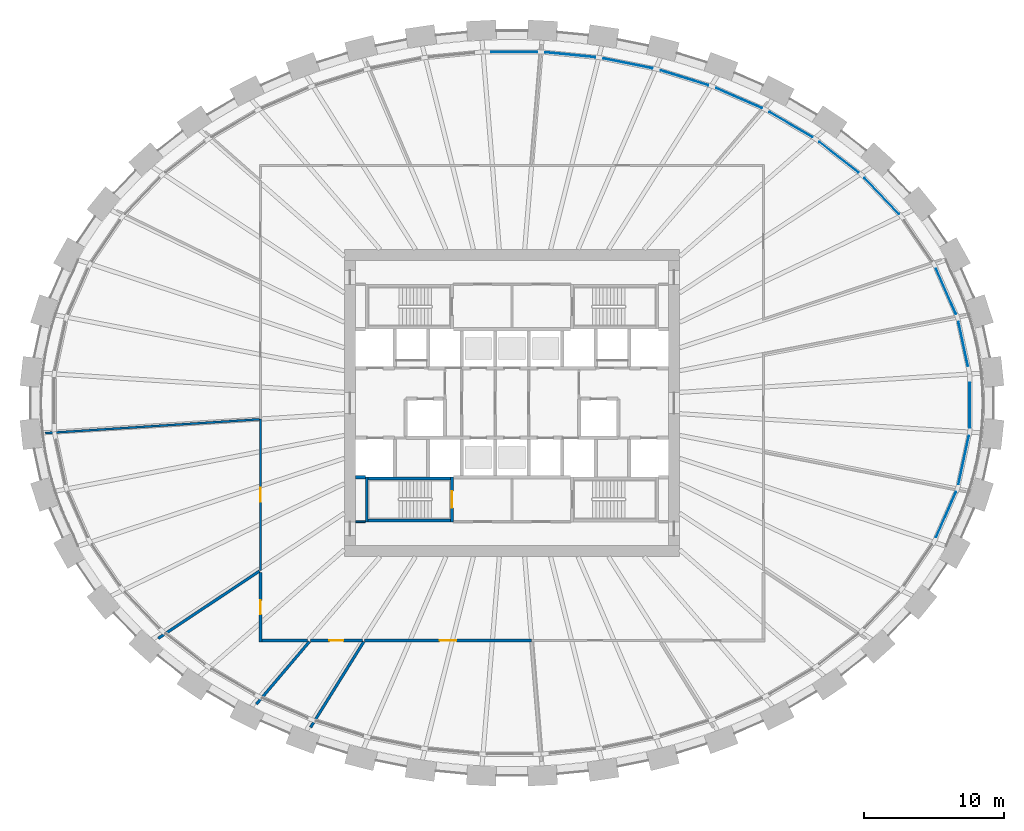
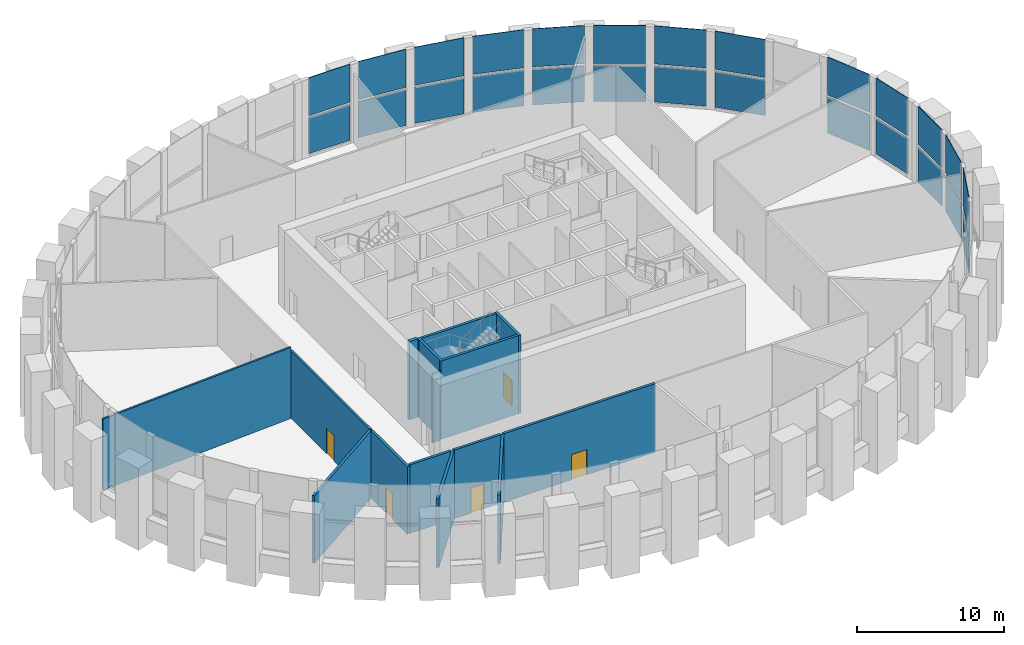
# One storey, part 7 of 16: 26 plates, 15 walls, 5 doors, 5 openings, 2 elements without a shape of their own.
"""IFC4 building model written with IfcOpenShell, lengths in metres."""

from ifc_helpers import new_model, si_unit, direction, frame, frame_2d, origin, origin_2d, place, context, subcontext, project, spatial, rectangle, extrude, source, transform, mapped, material, layer, layer_set, type_object, element, fill, aggregate, save


model = new_model("IFC4")

# Units and contexts
model_context = context("Model", 3, precision=1e-05, world=origin(), true_north=direction((0.0, 1.0)))
body_context = subcontext(model_context, "Body", "Model", "MODEL_VIEW")
ifc_project = project(units=[si_unit("LENGTHUNIT", "METRE"), si_unit("AREAUNIT", "SQUARE_METRE"), si_unit("VOLUMEUNIT", "CUBIC_METRE"), si_unit("PLANEANGLEUNIT", "RADIAN"), si_unit("MASSUNIT", "GRAM", prefix="KILO")], contexts=[model_context])

# Site, building, storey
site_placement = place(None, origin())
site = spatial("IfcSite", under=ifc_project, at=site_placement, CompositionType="ELEMENT")
building_placement = place(site_placement, origin())
building = spatial("IfcBuilding", under=site, at=building_placement, Name="Embergate Tower", CompositionType="ELEMENT")
storey_placement = place(building_placement, frame((0.0, 0.0, 234.60009765625)))
storey = spatial("IfcBuildingStorey", under=building, at=storey_placement, Name="L54", CompositionType="ELEMENT", Elevation=234.60009765625)

# Curtain wall, plates
ifc_material_1 = material(Name="Aluminium and glass", Category="aluminium")
curtain_wall_type = type_object("IfcCurtainWallType", Name="Sky lobby high glazing", PredefinedType="NOTDEFINED", material=ifc_material_1)
curtain_wall_1_placement = place(storey_placement, origin())
curtain_wall_1 = element("IfcCurtainWall", 1, at=curtain_wall_1_placement, inside=storey, type_object=curtain_wall_type, Name="Sky lobby high glazing run 1", ObjectType="SKY LOBBY HIGH GLAZING", PredefinedType="USERDEFINED")
ifc_material_2 = material(Name="Triple glazing, low-emissivity coating", Category="glass")
ifc_layer_1 = layer(ifc_material_2, 0.0439453125)
ifc_layer_set_1 = layer_set([ifc_layer_1], Name="Triple glazing, low-emissivity coating")
plate_type = type_object("IfcPlateType", Name="Sky lobby glazing unit", PredefinedType="CURTAIN_PANEL", material=ifc_layer_set_1)
shared_shape_1 = source(origin(), body_context, "Body", "SweptSolid", [
    extrude(rectangle(XDim=3.226806640625, YDim=0.0439453125, at=origin_2d()), origin(), (0.0, 0.0, 1.0), 2.97998046875),
])
plate_1_placement = place(storey_placement, frame((32.3017578125, 4.225830078125, 0.179931640625), z_axis=(0.0, 0.0, 1.0), x_axis=(-0.210401803698, 0.977614996305, 0.0)))
plate_1 = element("IfcPlate", 2, at=plate_1_placement, type_object=plate_type, Name="CW panel 1.1", PredefinedType="CURTAIN_PANEL", context=body_context, shape_type="MappedRepresentation", body=[
    mapped(shared_shape_1, transform((0.0, 0.0, 0.0))),
])
shared_shape_2 = source(origin(), body_context, "Body", "SweptSolid", [
    extrude(rectangle(XDim=3.226806640625, YDim=0.0439453125, at=origin_2d()), origin(), (0.0, 0.0, 1.0), 3.159912109375),
])
plate_2_placement = place(storey_placement, frame((32.3017578125, 4.225830078125, 3.33984375), z_axis=(0.0, 0.0, 1.0), x_axis=(-0.210401803698, 0.977614996305, 0.0)))
plate_2 = element("IfcPlate", 3, at=plate_2_placement, type_object=plate_type, Name="CW panel 1.2", PredefinedType="CURTAIN_PANEL", context=body_context, shape_type="MappedRepresentation", body=[
    mapped(shared_shape_2, transform((0.0, 0.0, 0.0))),
])
shared_shape_3 = source(origin(), body_context, "Body", "SweptSolid", [
    extrude(rectangle(XDim=3.53466796875, YDim=0.0439453125, at=origin_2d()), origin(), (0.0, 0.0, 1.0), 2.97998046875),
])
plate_3_placement = place(storey_placement, frame((31.06884765625, 7.989501953125, 0.179931640625), z_axis=(0.0, 0.0, 1.0), x_axis=(-0.401656896229, 0.915790225822, 0.0)))
plate_3 = element("IfcPlate", 4, at=plate_3_placement, type_object=plate_type, Name="CW panel 2.1", PredefinedType="CURTAIN_PANEL", context=body_context, shape_type="MappedRepresentation", body=[
    mapped(shared_shape_3, transform((0.0, 0.0, 0.0))),
])

# Curtain wall, plate
curtain_wall_2_placement = place(storey_placement, origin())
curtain_wall_2 = element("IfcCurtainWall", 5, at=curtain_wall_2_placement, inside=storey, type_object=curtain_wall_type, Name="Sky lobby high glazing run 4", ObjectType="SKY LOBBY HIGH GLAZING", PredefinedType="USERDEFINED")
plate_4_placement = place(storey_placement, frame((31.06884765625, -7.989501953125, 0.179931640625), z_axis=(0.0, 0.0, 1.0), x_axis=(0.401656896229, 0.915790225822, 0.0)))
plate_4 = element("IfcPlate", 6, at=plate_4_placement, type_object=plate_type, Name="CW panel 9.1", PredefinedType="CURTAIN_PANEL", context=body_context, shape_type="MappedRepresentation", body=[
    mapped(shared_shape_3, transform((0.0, 0.0, 0.0))),
])

# Plate
shared_shape_4 = source(origin(), body_context, "Body", "SweptSolid", [
    extrude(rectangle(XDim=3.53466796875, YDim=0.0439453125, at=origin_2d()), origin(), (0.0, 0.0, 1.0), 3.159912109375),
])
plate_5_placement = place(storey_placement, frame((31.06884765625, 7.989501953125, 3.33984375), z_axis=(0.0, 0.0, 1.0), x_axis=(-0.401656896229, 0.915790225822, 0.0)))
plate_5 = element("IfcPlate", 7, at=plate_5_placement, type_object=plate_type, Name="CW panel 2.2", PredefinedType="CURTAIN_PANEL", context=body_context, shape_type="MappedRepresentation", body=[
    mapped(shared_shape_4, transform((0.0, 0.0, 0.0))),
])

plate_6_placement = place(storey_placement, frame((31.06884765625, -7.989501953125, 3.33984375), z_axis=(0.0, 0.0, 1.0), x_axis=(0.401656896229, 0.915790225822, 0.0)))
plate_6 = element("IfcPlate", 8, at=plate_6_placement, type_object=plate_type, Name="CW panel 9.2", PredefinedType="CURTAIN_PANEL", context=body_context, shape_type="MappedRepresentation", body=[
    mapped(shared_shape_4, transform((0.0, 0.0, 0.0))),
])

shared_shape_5 = source(origin(), body_context, "Body", "SweptSolid", [
    extrude(rectangle(XDim=3.55419921875, YDim=0.0439453125, at=origin_2d()), origin(), (0.0, 0.0, 1.0), 2.97998046875),
])
plate_7_placement = place(storey_placement, frame((26.474609375, 14.81298828125, 0.179931640625), z_axis=(0.0, 0.0, 1.0), x_axis=(-0.690136310586, 0.723679399189, 0.0)))
plate_7 = element("IfcPlate", 9, at=plate_7_placement, type_object=plate_type, Name="CW panel 4.1", PredefinedType="CURTAIN_PANEL", context=body_context, shape_type="MappedRepresentation", body=[
    mapped(shared_shape_5, transform((0.0, 0.0, 0.0))),
])

shared_shape_6 = source(origin(), body_context, "Body", "SweptSolid", [
    extrude(rectangle(XDim=3.55419921875, YDim=0.0439453125, at=origin_2d()), origin(), (0.0, 0.0, 1.0), 3.159912109375),
])
plate_8_placement = place(storey_placement, frame((26.474609375, 14.81298828125, 3.33984375), z_axis=(0.0, 0.0, 1.0), x_axis=(-0.690136310586, 0.723679399189, 0.0)))
plate_8 = element("IfcPlate", 10, at=plate_8_placement, type_object=plate_type, Name="CW panel 4.2", PredefinedType="CURTAIN_PANEL", context=body_context, shape_type="MappedRepresentation", body=[
    mapped(shared_shape_6, transform((0.0, 0.0, 0.0))),
])

shared_shape_7 = source(origin(), body_context, "Body", "SweptSolid", [
    extrude(rectangle(XDim=3.5625, YDim=0.0439453125, at=origin_2d()), origin(), (0.0, 0.0, 1.0), 2.97998046875),
])
plate_9_placement = place(storey_placement, frame((23.400390625, 17.5966796875, 0.179931640625), z_axis=(0.0, 0.0, 1.0), x_axis=(-0.788321193094, 0.615263924279, 0.0)))
plate_9 = element("IfcPlate", 11, at=plate_9_placement, type_object=plate_type, Name="CW panel 5.1", PredefinedType="CURTAIN_PANEL", context=body_context, shape_type="MappedRepresentation", body=[
    mapped(shared_shape_7, transform((0.0, 0.0, 0.0))),
])

shared_shape_8 = source(origin(), body_context, "Body", "SweptSolid", [
    extrude(rectangle(XDim=3.5625, YDim=0.0439453125, at=origin_2d()), origin(), (0.0, 0.0, 1.0), 3.159912109375),
])
plate_10_placement = place(storey_placement, frame((23.400390625, 17.5966796875, 3.33984375), z_axis=(0.0, 0.0, 1.0), x_axis=(-0.788321193094, 0.615263924279, 0.0)))
plate_10 = element("IfcPlate", 12, at=plate_10_placement, type_object=plate_type, Name="CW panel 5.2", PredefinedType="CURTAIN_PANEL", context=body_context, shape_type="MappedRepresentation", body=[
    mapped(shared_shape_8, transform((0.0, 0.0, 0.0))),
])

shared_shape_9 = source(origin(), body_context, "Body", "SweptSolid", [
    extrude(rectangle(XDim=3.569091796875, YDim=0.0439453125, at=origin_2d()), origin(), (0.0, 0.0, 1.0), 2.97998046875),
])
plate_11_placement = place(storey_placement, frame((19.962646484375, 19.93359375, 0.179931640625), z_axis=(0.0, 0.0, 1.0), x_axis=(-0.862053167811, 0.50681785275, 0.0)))
plate_11 = element("IfcPlate", 13, at=plate_11_placement, type_object=plate_type, Name="CW panel 6.1", PredefinedType="CURTAIN_PANEL", context=body_context, shape_type="MappedRepresentation", body=[
    mapped(shared_shape_9, transform((0.0, 0.0, 0.0))),
])

shared_shape_10 = source(origin(), body_context, "Body", "SweptSolid", [
    extrude(rectangle(XDim=3.569091796875, YDim=0.0439453125, at=origin_2d()), origin(), (0.0, 0.0, 1.0), 3.159912109375),
])
plate_12_placement = place(storey_placement, frame((19.962646484375, 19.93359375, 3.33984375), z_axis=(0.0, 0.0, 1.0), x_axis=(-0.862053167811, 0.50681785275, 0.0)))
plate_12 = element("IfcPlate", 14, at=plate_12_placement, type_object=plate_type, Name="CW panel 6.2", PredefinedType="CURTAIN_PANEL", context=body_context, shape_type="MappedRepresentation", body=[
    mapped(shared_shape_10, transform((0.0, 0.0, 0.0))),
])

shared_shape_11 = source(origin(), body_context, "Body", "SweptSolid", [
    extrude(rectangle(XDim=3.57421875, YDim=0.0439453125, at=origin_2d()), origin(), (0.0, 0.0, 1.0), 2.97998046875),
])
plate_13_placement = place(storey_placement, frame((16.25341796875, 21.826416015625, 0.179931640625), z_axis=(0.0, 0.0, 1.0), x_axis=(-0.916236211741, 0.400638495772, 0.0)))
plate_13 = element("IfcPlate", 15, at=plate_13_placement, type_object=plate_type, Name="CW panel 7.1", PredefinedType="CURTAIN_PANEL", context=body_context, shape_type="MappedRepresentation", body=[
    mapped(shared_shape_11, transform((0.0, 0.0, 0.0))),
])

shared_shape_12 = source(origin(), body_context, "Body", "SweptSolid", [
    extrude(rectangle(XDim=3.57421875, YDim=0.0439453125, at=origin_2d()), origin(), (0.0, 0.0, 1.0), 3.159912109375),
])
plate_14_placement = place(storey_placement, frame((16.25341796875, 21.826416015625, 3.33984375), z_axis=(0.0, 0.0, 1.0), x_axis=(-0.916236211741, 0.400638495772, 0.0)))
plate_14 = element("IfcPlate", 16, at=plate_14_placement, type_object=plate_type, Name="CW panel 7.2", PredefinedType="CURTAIN_PANEL", context=body_context, shape_type="MappedRepresentation", body=[
    mapped(shared_shape_12, transform((0.0, 0.0, 0.0))),
])

shared_shape_13 = source(origin(), body_context, "Body", "SweptSolid", [
    extrude(rectangle(XDim=3.577880859375, YDim=0.0439453125, at=origin_2d()), origin(), (0.0, 0.0, 1.0), 2.97998046875),
])
plate_15_placement = place(storey_placement, frame((12.346435546875, 23.28369140625, 0.179931640625), z_axis=(0.0, 0.0, 1.0), x_axis=(-0.95477169822, 0.297339880067, 0.0)))
plate_15 = element("IfcPlate", 17, at=plate_15_placement, type_object=plate_type, Name="CW panel 8.1", PredefinedType="CURTAIN_PANEL", context=body_context, shape_type="MappedRepresentation", body=[
    mapped(shared_shape_13, transform((0.0, 0.0, 0.0))),
])

shared_shape_14 = source(origin(), body_context, "Body", "SweptSolid", [
    extrude(rectangle(XDim=3.577880859375, YDim=0.0439453125, at=origin_2d()), origin(), (0.0, 0.0, 1.0), 3.159912109375),
])
plate_16_placement = place(storey_placement, frame((12.346435546875, 23.28369140625, 3.33984375), z_axis=(0.0, 0.0, 1.0), x_axis=(-0.95477169822, 0.297339880067, 0.0)))
plate_16 = element("IfcPlate", 18, at=plate_16_placement, type_object=plate_type, Name="CW panel 8.2", PredefinedType="CURTAIN_PANEL", context=body_context, shape_type="MappedRepresentation", body=[
    mapped(shared_shape_14, transform((0.0, 0.0, 0.0))),
])

shared_shape_15 = source(origin(), body_context, "Body", "SweptSolid", [
    extrude(rectangle(XDim=3.58056640625, YDim=0.0439453125, at=origin_2d()), origin(), (0.0, 0.0, 1.0), 2.97998046875),
])
plate_17_placement = place(storey_placement, frame((8.302490234375, 24.31591796875, 0.179931640625), z_axis=(0.0, 0.0, 1.0), x_axis=(-0.980475907409, 0.196639250889, 0.0)))
plate_17 = element("IfcPlate", 19, at=plate_17_placement, type_object=plate_type, Name="CW panel 9.1", PredefinedType="CURTAIN_PANEL", context=body_context, shape_type="MappedRepresentation", body=[
    mapped(shared_shape_15, transform((0.0, 0.0, 0.0))),
])

shared_shape_16 = source(origin(), body_context, "Body", "SweptSolid", [
    extrude(rectangle(XDim=3.58056640625, YDim=0.0439453125, at=origin_2d()), origin(), (0.0, 0.0, 1.0), 3.159912109375),
])
plate_18_placement = place(storey_placement, frame((8.302490234375, 24.31591796875, 3.33984375), z_axis=(0.0, 0.0, 1.0), x_axis=(-0.980475907409, 0.196639250889, 0.0)))
plate_18 = element("IfcPlate", 20, at=plate_18_placement, type_object=plate_type, Name="CW panel 9.2", PredefinedType="CURTAIN_PANEL", context=body_context, shape_type="MappedRepresentation", body=[
    mapped(shared_shape_16, transform((0.0, 0.0, 0.0))),
])

shared_shape_17 = source(origin(), body_context, "Body", "SweptSolid", [
    extrude(rectangle(XDim=3.581787109375, YDim=0.0439453125, at=origin_2d()), origin(), (0.0, 0.0, 1.0), 2.97998046875),
])
plate_19_placement = place(storey_placement, frame((4.172119140625, 24.931396484375, 0.179931640625), z_axis=(0.0, 0.0, 1.0), x_axis=(-0.995203184788, 0.097829550688, 0.0)))
plate_19 = element("IfcPlate", 21, at=plate_19_placement, type_object=plate_type, Name="CW panel 10.1", PredefinedType="CURTAIN_PANEL", context=body_context, shape_type="MappedRepresentation", body=[
    mapped(shared_shape_17, transform((0.0, 0.0, 0.0))),
])

shared_shape_18 = source(origin(), body_context, "Body", "SweptSolid", [
    extrude(rectangle(XDim=3.581787109375, YDim=0.0439453125, at=origin_2d()), origin(), (0.0, 0.0, 1.0), 3.159912109375),
])
plate_20_placement = place(storey_placement, frame((4.172119140625, 24.931396484375, 3.33984375), z_axis=(0.0, 0.0, 1.0), x_axis=(-0.995203184788, 0.097829550688, 0.0)))
plate_20 = element("IfcPlate", 22, at=plate_20_placement, type_object=plate_type, Name="CW panel 10.2", PredefinedType="CURTAIN_PANEL", context=body_context, shape_type="MappedRepresentation", body=[
    mapped(shared_shape_18, transform((0.0, 0.0, 0.0))),
])

shared_shape_19 = source(origin(), body_context, "Body", "SweptSolid", [
    extrude(rectangle(XDim=3.282470703125, YDim=0.0439453125, at=origin_2d()), origin(), (0.0, 0.0, 1.0), 2.97998046875),
])
plate_21_placement = place(storey_placement, frame((0.14990234375, 25.135986328125, 0.179931640625), z_axis=(0.0, 0.0, 1.0), x_axis=(-1.0, 0.0, 0.0)))
plate_21 = element("IfcPlate", 23, at=plate_21_placement, type_object=plate_type, Name="CW panel 11.1", PredefinedType="CURTAIN_PANEL", context=body_context, shape_type="MappedRepresentation", body=[
    mapped(shared_shape_19, transform((0.0, 0.0, 0.0))),
])

shared_shape_20 = source(origin(), body_context, "Body", "SweptSolid", [
    extrude(rectangle(XDim=3.282470703125, YDim=0.0439453125, at=origin_2d()), origin(), (0.0, 0.0, 1.0), 3.159912109375),
])
plate_22_placement = place(storey_placement, frame((0.14990234375, 25.135986328125, 3.33984375), z_axis=(0.0, 0.0, 1.0), x_axis=(-1.0, 0.0, 0.0)))
plate_22 = element("IfcPlate", 24, at=plate_22_placement, type_object=plate_type, Name="CW panel 11.2", PredefinedType="CURTAIN_PANEL", context=body_context, shape_type="MappedRepresentation", body=[
    mapped(shared_shape_20, transform((0.0, 0.0, 0.0))),
])

aggregate(curtain_wall_1, [plate_1, plate_2, plate_3, plate_5, plate_7, plate_8, plate_9, plate_10, plate_11, plate_12, plate_13, plate_14, plate_15, plate_16, plate_17, plate_18, plate_19, plate_20, plate_21, plate_22])

shared_shape_21 = source(origin(), body_context, "Body", "SweptSolid", [
    extrude(rectangle(XDim=3.52685546875, YDim=0.0439453125, at=origin_2d()), origin(), (0.0, 0.0, 1.0), 2.97998046875),
])
plate_23_placement = place(storey_placement, frame((32.33349609375, -4.0791015625, 0.179931640625), z_axis=(0.0, 0.0, 1.0), x_axis=(0.210401803698, 0.977614996305, 0.0)))
plate_23 = element("IfcPlate", 25, at=plate_23_placement, type_object=plate_type, Name="CW panel 10.1", PredefinedType="CURTAIN_PANEL", context=body_context, shape_type="MappedRepresentation", body=[
    mapped(shared_shape_21, transform((0.0, 0.0, 0.0))),
])

shared_shape_22 = source(origin(), body_context, "Body", "SweptSolid", [
    extrude(rectangle(XDim=3.52685546875, YDim=0.0439453125, at=origin_2d()), origin(), (0.0, 0.0, 1.0), 3.159912109375),
])
plate_24_placement = place(storey_placement, frame((32.33349609375, -4.0791015625, 3.33984375), z_axis=(0.0, 0.0, 1.0), x_axis=(0.210401803698, 0.977614996305, 0.0)))
plate_24 = element("IfcPlate", 26, at=plate_24_placement, type_object=plate_type, Name="CW panel 10.2", PredefinedType="CURTAIN_PANEL", context=body_context, shape_type="MappedRepresentation", body=[
    mapped(shared_shape_22, transform((0.0, 0.0, 0.0))),
])

shared_shape_23 = source(origin(), body_context, "Body", "SweptSolid", [
    extrude(rectangle(XDim=3.223876953125, YDim=0.0439453125, at=origin_2d()), origin(), (0.0, 0.0, 1.0), 2.97998046875),
])
plate_25_placement = place(storey_placement, frame((32.767578125, -0.14990234375, 0.179931640625), z_axis=(0.0, 0.0, 1.0), x_axis=(0.0, 1.0, 0.0)))
plate_25 = element("IfcPlate", 27, at=plate_25_placement, type_object=plate_type, Name="CW panel 11.1", PredefinedType="CURTAIN_PANEL", context=body_context, shape_type="MappedRepresentation", body=[
    mapped(shared_shape_23, transform((0.0, 0.0, 0.0))),
])

shared_shape_24 = source(origin(), body_context, "Body", "SweptSolid", [
    extrude(rectangle(XDim=3.223876953125, YDim=0.0439453125, at=origin_2d()), origin(), (0.0, 0.0, 1.0), 3.159912109375),
])
plate_26_placement = place(storey_placement, frame((32.767578125, -0.14990234375, 3.33984375), z_axis=(0.0, 0.0, 1.0), x_axis=(0.0, 1.0, 0.0)))
plate_26 = element("IfcPlate", 28, at=plate_26_placement, type_object=plate_type, Name="CW panel 11.2", PredefinedType="CURTAIN_PANEL", context=body_context, shape_type="MappedRepresentation", body=[
    mapped(shared_shape_24, transform((0.0, 0.0, 0.0))),
])

aggregate(curtain_wall_2, [plate_4, plate_6, plate_23, plate_24, plate_25, plate_26])

# Walls
ifc_material_3 = material(Name="Concrete C50", Category="concrete")
ifc_layer_2 = layer(ifc_material_3, 0.199951171875)
ifc_layer_set_2 = layer_set([ifc_layer_2], Name="Concrete C50")
wall_type_1 = type_object("IfcWallType", Name="Stair enclosure wall reinforced concrete 250", PredefinedType="SHEAR", material=ifc_layer_set_2)
shared_shape_25 = source(origin(), body_context, "Body", "SweptSolid", [
    extrude(rectangle(XDim=6.300048828125, YDim=0.199951171875, at=frame_2d((3.14990234375, 0.0))), origin(), (0.0, 0.0, 1.0), 6.5),
])
for number, where, z_axis, x_axis, name in (
    (29, (-10.5, -5.39990234375, 0.0), (0.0, 0.0, 1.0), (1.0, 0.0, 0.0), "SE-1 wall"),
    (30, (-10.5, -8.39990234375, 0.0), (0.0, 0.0, 1.0), (1.0, 0.0, 0.0), "SE-1 wall"),
):
    element("IfcWall", number, at=place(storey_placement, frame(where, z_axis=z_axis, x_axis=x_axis)), inside=storey, type_object=wall_type_1, Name=name, PredefinedType="SHEAR", context=body_context, shape_type="MappedRepresentation", body=[
        mapped(shared_shape_25, transform((0.0, 0.0, 0.0))),
    ])

# Wall, opening, door
shared_shape_26 = source(origin(), body_context, "Body", "SweptSolid", [
    extrude(rectangle(XDim=3.199951171875, YDim=0.199951171875, at=frame_2d((1.60009765625, 0.0))), origin(), (0.0, 0.0, 1.0), 6.5),
])
wall_1_placement = place(storey_placement, frame((-4.300048828125, -8.5, 0.0), z_axis=(0.0, 0.0, 1.0), x_axis=(0.0, 1.0, 0.0)))
wall_1 = element("IfcWall", 31, at=wall_1_placement, inside=storey, type_object=wall_type_1, Name="SE-1 wall", PredefinedType="SHEAR", context=body_context, shape_type="MappedRepresentation", body=[
    mapped(shared_shape_26, transform((0.0, 0.0, 0.0))),
])
shared_shape_27 = source(origin(), body_context, "Body", "SweptSolid", [
    extrude(rectangle(XDim=1.199951171875, YDim=2.10009765625, at=frame_2d((0.60009765625, 1.050048828125))), frame((0.0, 0.10986328125, 0.0), z_axis=(0.0, -1.0, 0.0), x_axis=(1.0, 0.0, 0.0)), (0.0, 0.0, 1.0), 0.219970703125),
])
opening_1_placement = place(wall_1_placement, frame((1.0, 0.0, 0.0)))
opening_1 = element("IfcOpeningElement", 32, at=opening_1_placement, cuts=wall_1, Name="Opening IF-2", PredefinedType="OPENING", context=body_context, shape_type="MappedRepresentation", body=[
    mapped(shared_shape_27, transform((0.0, 0.0, 0.0))),
])
ifc_material_4 = material(Name="Stair enclosure door 1200")
door_type_1 = type_object("IfcDoorType", Name="Stair enclosure door 1200", OperationType="SINGLE_SWING_LEFT", PredefinedType="DOOR", material=ifc_material_4)
shared_shape_28 = source(origin(), body_context, "Body", "SweptSolid", [
    extrude(rectangle(XDim=1.199951171875, YDim=2.10009765625, at=frame_2d((0.60009765625, 1.050048828125))), frame((0.0, 0.02490234375, 0.0), z_axis=(0.0, -1.0, 0.0), x_axis=(1.0, 0.0, 0.0)), (0.0, 0.0, 1.0), 0.050048828125),
])
door_1_placement = place(opening_1_placement, origin())
door_1 = element("IfcDoor", 33, at=door_1_placement, inside=storey, type_object=door_type_1, Name="IF-2 door", OperationType="SINGLE_SWING_LEFT", OverallHeight=2.10009765625, OverallWidth=1.199951171875, PredefinedType="DOOR", context=body_context, shape_type="MappedRepresentation", body=[
    mapped(shared_shape_28, transform((0.0, 0.0, 0.0))),
])
fill(opening_1, door_1)

# Walls
shared_shape_29 = source(origin(), body_context, "Body", "SweptSolid", [
    extrude(rectangle(XDim=3.196044921875, YDim=0.199951171875, at=frame_2d((1.59814453125, 0.0))), origin(), (0.0, 0.0, 1.0), 6.5),
])
wall_2_placement = place(storey_placement, frame((-10.39990234375, -5.302001953125, 0.0), z_axis=(0.0, 0.0, 1.0), x_axis=(0.0, -1.0, 0.0)))
element("IfcWall", 34, at=wall_2_placement, inside=storey, type_object=wall_type_1, Name="SE-1 wall", PredefinedType="SHEAR", context=body_context, shape_type="MappedRepresentation", body=[
    mapped(shared_shape_29, transform((0.0, 0.0, 0.0))),
])
ifc_layer_3 = layer(ifc_material_3, 0.25)
ifc_layer_set_3 = layer_set([ifc_layer_3], Name="Concrete C50")
wall_type_2 = type_object("IfcWallType", Name="Hoistway wall reinforced concrete 250", PredefinedType="SHEAR", material=ifc_layer_set_3)
shared_shape_30 = source(origin(), body_context, "Body", "SweptSolid", [
    extrude(rectangle(XDim=0.697998046875, YDim=0.25, at=frame_2d((0.34912109375, 0.0))), origin(), (0.0, 0.0, 1.0), 6.5),
])
wall_3_placement = place(storey_placement, frame((-11.199951171875, -5.300048828125, 0.0), z_axis=(0.0, 0.0, 1.0), x_axis=(1.0, 0.0, 0.0)))
element("IfcWall", 35, at=wall_3_placement, inside=storey, type_object=wall_type_2, Name="HW-1 wall", PredefinedType="SHEAR", context=body_context, shape_type="MappedRepresentation", body=[
    mapped(shared_shape_30, transform((0.0, 0.0, 0.0))),
])
ifc_material_5 = material(Name="Core partition blockwork 120")
ifc_layer_4 = layer(ifc_material_5, 0.1201171875)
ifc_layer_set_4 = layer_set([ifc_layer_4], Name="Core partition blockwork 120")
wall_type_3 = type_object("IfcWallType", Name="Core partition blockwork 120", PredefinedType="PARTITIONING", material=ifc_layer_set_4)
shared_shape_31 = source(origin(), body_context, "Body", "SweptSolid", [
    extrude(rectangle(XDim=0.697998046875, YDim=0.1201171875, at=frame_2d((0.34912109375, 0.0))), origin(), (0.0, 0.0, 1.0), 5.699951171875),
])
wall_4_placement = place(storey_placement, frame((-10.501953125, -8.5, 0.0), z_axis=(0.0, 0.0, 1.0), x_axis=(-1.0, 0.0, 0.0)))
element("IfcWall", 36, at=wall_4_placement, inside=storey, type_object=wall_type_3, Name="IP-3 wall", PredefinedType="PARTITIONING", context=body_context, shape_type="MappedRepresentation", body=[
    mapped(shared_shape_31, transform((0.0, 0.0, 0.0))),
])

# Wall, opening, door
ifc_material_6 = material(Name="Blockwork, plastered", Category="masonry")
ifc_layer_5 = layer(ifc_material_6, 0.199951171875)
ifc_layer_set_5 = layer_set([ifc_layer_5], Name="Blockwork, plastered")
wall_type_4 = type_object("IfcWallType", Name="Partition wall 200 block", PredefinedType="PARTITIONING", material=ifc_layer_set_5)
shared_shape_32 = source(origin(), body_context, "Body", "SweptSolid", [
    extrude(rectangle(XDim=4.9580078125, YDim=0.199951171875, at=frame_2d((2.47900390625, 0.0))), origin(), (0.0, 0.0, 1.0), 5.599853515625),
])
wall_5_placement = place(storey_placement, frame((-18.0, -17.10009765625, 0.0), z_axis=(0.0, 0.0, 1.0), x_axis=(0.0, 1.0, 0.0)))
wall_5 = element("IfcWall", 37, at=wall_5_placement, inside=storey, type_object=wall_type_4, Name="Partition 001", PredefinedType="PARTITIONING", context=body_context, shape_type="MappedRepresentation", body=[
    mapped(shared_shape_32, transform((0.0, 0.0, 0.0))),
])
shared_shape_33 = source(origin(), body_context, "Body", "SweptSolid", [
    extrude(rectangle(XDim=1.0, YDim=2.10009765625, at=frame_2d((0.5, 1.050048828125))), frame((0.0, 0.10986328125, 0.0), z_axis=(0.0, -1.0, 0.0), x_axis=(1.0, 0.0, 0.0)), (0.0, 0.0, 1.0), 0.219970703125),
])
opening_2_placement = place(wall_5_placement, frame((1.97900390625, 0.0, 0.0)))
opening_2 = element("IfcOpeningElement", 38, at=opening_2_placement, cuts=wall_5, Name="Opening DS-126", PredefinedType="OPENING", context=body_context, shape_type="MappedRepresentation", body=[
    mapped(shared_shape_33, transform((0.0, 0.0, 0.0))),
])
ifc_material_7 = material(Name="Timber door leaf, steel frame", Category="steel")
door_type_2 = type_object("IfcDoorType", Name="Single door 1000x2100", OperationType="SINGLE_SWING_LEFT", PredefinedType="DOOR", material=ifc_material_7)
shared_shape_34 = source(origin(), body_context, "Body", "SweptSolid", [
    extrude(rectangle(XDim=1.0, YDim=2.10009765625, at=frame_2d((0.5, 1.050048828125))), frame((0.0, 0.02490234375, 0.0), z_axis=(0.0, -1.0, 0.0), x_axis=(1.0, 0.0, 0.0)), (0.0, 0.0, 1.0), 0.050048828125),
])
door_2_placement = place(opening_2_placement, origin())
door_2 = element("IfcDoor", 39, at=door_2_placement, inside=storey, type_object=door_type_2, Name="Door to Public WC", OperationType="SINGLE_SWING_LEFT", OverallHeight=2.10009765625, OverallWidth=1.0, PredefinedType="DOOR", context=body_context, shape_type="MappedRepresentation", body=[
    mapped(shared_shape_34, transform((0.0, 0.0, 0.0))),
])
fill(opening_2, door_2)

# Wall
shared_shape_35 = source(origin(), body_context, "Body", "SweptSolid", [
    extrude(rectangle(XDim=8.70263671875, YDim=0.199951171875, at=frame_2d((4.351318359375, 0.0))), origin(), (0.0, 0.0, 1.0), 5.599853515625),
])
wall_6_placement = place(storey_placement, frame((-18.0830078125, -12.027099609375, 0.0), z_axis=(0.0, 0.0, 1.0), x_axis=(-0.832628176005, -0.553832393891, 0.0)))
element("IfcWall", 40, at=wall_6_placement, inside=storey, type_object=wall_type_4, Name="Partition 002", PredefinedType="PARTITIONING", context=body_context, shape_type="MappedRepresentation", body=[
    mapped(shared_shape_35, transform((0.0, 0.0, 0.0))),
])

# Wall, opening, door
ifc_material_8 = material(Name="Plasterboard on steel stud", Category="steel")
ifc_layer_6 = layer(ifc_material_8, 0.14990234375)
ifc_layer_set_6 = layer_set([ifc_layer_6], Name="Plasterboard on steel stud")
wall_type_5 = type_object("IfcWallType", Name="Partition wall 150 board", PredefinedType="PARTITIONING", material=ifc_layer_set_6)
shared_shape_36 = source(origin(), body_context, "Body", "SweptSolid", [
    extrude(rectangle(XDim=10.81201171875, YDim=0.14990234375, at=frame_2d((5.406005859375, 0.0))), origin(), (0.0, 0.0, 1.0), 5.599853515625),
])
wall_7_placement = place(storey_placement, frame((-18.0, -11.971923828125, 0.0), z_axis=(0.0, 0.0, 1.0), x_axis=(0.0, 1.0, 0.0)))
wall_7 = element("IfcWall", 41, at=wall_7_placement, inside=storey, type_object=wall_type_5, Name="Partition 003", PredefinedType="PARTITIONING", context=body_context, shape_type="MappedRepresentation", body=[
    mapped(shared_shape_36, transform((0.0, 0.0, 0.0))),
])
shared_shape_37 = source(origin(), body_context, "Body", "SweptSolid", [
    extrude(rectangle(XDim=1.0, YDim=2.10009765625, at=frame_2d((0.5, 1.050048828125))), frame((0.0, 0.0849609375, 0.0), z_axis=(0.0, -1.0, 0.0), x_axis=(1.0, 0.0, 0.0)), (0.0, 0.0, 1.0), 0.169921875),
])
opening_3_placement = place(wall_7_placement, frame((4.906005859375, 0.0, 0.0)))
opening_3 = element("IfcOpeningElement", 42, at=opening_3_placement, cuts=wall_7, Name="Opening DS-125", PredefinedType="OPENING", context=body_context, shape_type="MappedRepresentation", body=[
    mapped(shared_shape_37, transform((0.0, 0.0, 0.0))),
])
door_3_placement = place(opening_3_placement, origin())
door_3 = element("IfcDoor", 43, at=door_3_placement, inside=storey, type_object=door_type_2, Name="Door to Business centre", OperationType="SINGLE_SWING_LEFT", OverallHeight=2.10009765625, OverallWidth=1.0, PredefinedType="DOOR", context=body_context, shape_type="MappedRepresentation", body=[
    mapped(shared_shape_34, transform((0.0, 0.0, 0.0))),
])
fill(opening_3, door_3)

# Walls
shared_shape_38 = source(origin(), body_context, "Body", "SweptSolid", [
    extrude(rectangle(XDim=15.369873046875, YDim=0.14990234375, at=frame_2d((7.68505859375, 0.0))), origin(), (0.0, 0.0, 1.0), 5.911865234375),
])
wall_8_placement = place(storey_placement, frame((-18.074951171875, -1.1650390625, 0.0), z_axis=(0.0, 0.0, 1.0), x_axis=(-0.997931657832, -0.064283794974, 0.0)))
element("IfcWall", 44, at=wall_8_placement, inside=storey, type_object=wall_type_5, Name="Partition 004", PredefinedType="PARTITIONING", context=body_context, shape_type="MappedRepresentation", body=[
    mapped(shared_shape_38, transform((0.0, 0.0, 0.0))),
])
shared_shape_39 = source(origin(), body_context, "Body", "SweptSolid", [
    extrude(rectangle(XDim=5.8701171875, YDim=0.199951171875, at=frame_2d((2.93505859375, 0.0))), origin(), (0.0, 0.0, 1.0), 5.699951171875),
])
wall_9_placement = place(storey_placement, frame((-14.4970703125, -17.075927734375, 0.0), z_axis=(0.0, 0.0, 1.0), x_axis=(-0.64715329824, -0.762359894392, 0.0)))
element("IfcWall", 45, at=wall_9_placement, inside=storey, type_object=wall_type_4, Name="Partition 011", PredefinedType="PARTITIONING", context=body_context, shape_type="MappedRepresentation", body=[
    mapped(shared_shape_39, transform((0.0, 0.0, 0.0))),
])
shared_shape_40 = source(origin(), body_context, "Body", "SweptSolid", [
    extrude(rectangle(XDim=3.267822265625, YDim=0.199951171875, at=frame_2d((1.6337890625, 0.0))), origin(), (0.0, 0.0, 1.0), 5.699951171875),
])
wall_10_placement = place(storey_placement, frame((-14.632080078125, -17.0, 0.0), z_axis=(0.0, 0.0, 1.0), x_axis=(-1.0, 0.0, 0.0)))
element("IfcWall", 46, at=wall_10_placement, inside=storey, type_object=wall_type_4, Name="Partition 012", PredefinedType="PARTITIONING", context=body_context, shape_type="MappedRepresentation", body=[
    mapped(shared_shape_40, transform((0.0, 0.0, 0.0))),
])

# Wall, opening, door
shared_shape_41 = source(origin(), body_context, "Body", "SweptSolid", [
    extrude(rectangle(XDim=3.7138671875, YDim=0.199951171875, at=frame_2d((1.85693359375, 0.0))), origin(), (0.0, 0.0, 1.0), 5.699951171875),
])
wall_11_placement = place(storey_placement, frame((-10.718017578125, -17.0, 0.0), z_axis=(0.0, 0.0, 1.0), x_axis=(-1.0, 0.0, 0.0)))
wall_11 = element("IfcWall", 47, at=wall_11_placement, inside=storey, type_object=wall_type_4, Name="Partition 013", PredefinedType="PARTITIONING", context=body_context, shape_type="MappedRepresentation", body=[
    mapped(shared_shape_41, transform((0.0, 0.0, 0.0))),
])
opening_4_placement = place(wall_11_placement, frame((1.35693359375, 0.0, 0.0)))
opening_4 = element("IfcOpeningElement", 48, at=opening_4_placement, cuts=wall_11, Name="Opening DS-127", PredefinedType="OPENING", context=body_context, shape_type="MappedRepresentation", body=[
    mapped(shared_shape_33, transform((0.0, 0.0, 0.0))),
])
door_4_placement = place(opening_4_placement, origin())
door_4 = element("IfcDoor", 49, at=door_4_placement, inside=storey, type_object=door_type_2, Name="Door to Accessible WC", OperationType="SINGLE_SWING_LEFT", OverallHeight=2.10009765625, OverallWidth=1.0, PredefinedType="DOOR", context=body_context, shape_type="MappedRepresentation", body=[
    mapped(shared_shape_34, transform((0.0, 0.0, 0.0))),
])
fill(opening_4, door_4)

# Wall
ifc_layer_7 = layer(ifc_material_6, 0.199951171875)
ifc_layer_set_7 = layer_set([ifc_layer_7], Name="Blockwork, plastered")
wall_type_6 = type_object("IfcWallType", Name="Fire partition wall 200 block", PredefinedType="PARTITIONING", material=ifc_layer_set_7)
shared_shape_42 = source(origin(), body_context, "Body", "SweptSolid", [
    extrude(rectangle(XDim=7.220947265625, YDim=0.199951171875, at=frame_2d((3.6103515625, 0.0))), origin(), (0.0, 0.0, 1.0), 5.699951171875),
])
wall_12_placement = place(storey_placement, frame((-10.611083984375, -17.0849609375, 0.0), z_axis=(0.0, 0.0, 1.0), x_axis=(-0.527611120702, -0.8494860242, 0.0)))
element("IfcWall", 50, at=wall_12_placement, inside=storey, type_object=wall_type_6, Name="Partition 014", PredefinedType="PARTITIONING", context=body_context, shape_type="MappedRepresentation", body=[
    mapped(shared_shape_42, transform((0.0, 0.0, 0.0))),
])

# Wall, opening, door
shared_shape_43 = source(origin(), body_context, "Body", "SweptSolid", [
    extrude(rectangle(XDim=11.947021484375, YDim=0.199951171875, at=frame_2d((5.9736328125, 0.0))), origin(), (0.0, 0.0, 1.0), 5.699951171875),
])
wall_13_placement = place(storey_placement, frame((1.388916015625, -17.0, 0.0), z_axis=(0.0, 0.0, 1.0), x_axis=(-1.0, 0.0, 0.0)))
wall_13 = element("IfcWall", 51, at=wall_13_placement, inside=storey, type_object=wall_type_6, Name="Partition 017", PredefinedType="PARTITIONING", context=body_context, shape_type="MappedRepresentation", body=[
    mapped(shared_shape_43, transform((0.0, 0.0, 0.0))),
])
opening_5_placement = place(wall_13_placement, frame((5.373046875, 0.0, 0.0)))
opening_5 = element("IfcOpeningElement", 52, at=opening_5_placement, cuts=wall_13, Name="Opening DS-128", PredefinedType="OPENING", context=body_context, shape_type="MappedRepresentation", body=[
    mapped(shared_shape_27, transform((0.0, 0.0, 0.0))),
])
door_type_3 = type_object("IfcDoorType", Name="Plant door 1200x2100", OperationType="SINGLE_SWING_LEFT", PredefinedType="DOOR", material=ifc_material_7)
shared_shape_44 = source(origin(), body_context, "Body", "SweptSolid", [
    extrude(rectangle(XDim=1.199951171875, YDim=2.10009765625, at=frame_2d((0.60009765625, 1.050048828125))), frame((0.0, 0.02490234375, 0.0), z_axis=(0.0, -1.0, 0.0), x_axis=(1.0, 0.0, 0.0)), (0.0, 0.0, 1.0), 0.050048828125),
])
door_5_placement = place(opening_5_placement, origin())
door_5 = element("IfcDoor", 53, at=door_5_placement, inside=storey, type_object=door_type_3, Name="Door to Sky lobby waiting area", OperationType="SINGLE_SWING_LEFT", OverallHeight=2.10009765625, OverallWidth=1.199951171875, PredefinedType="DOOR", context=body_context, shape_type="MappedRepresentation", body=[
    mapped(shared_shape_44, transform((0.0, 0.0, 0.0))),
])
fill(opening_5, door_5)

save(model, "model.ifc")
